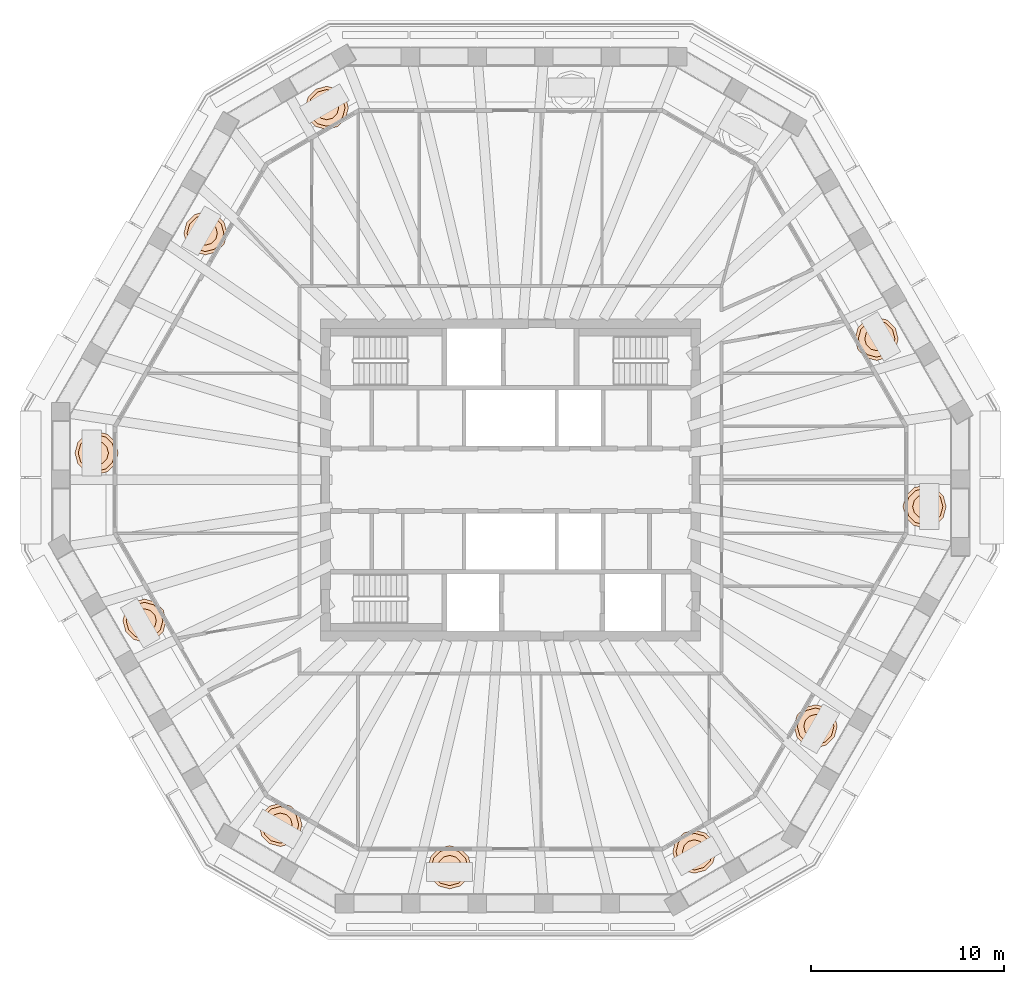
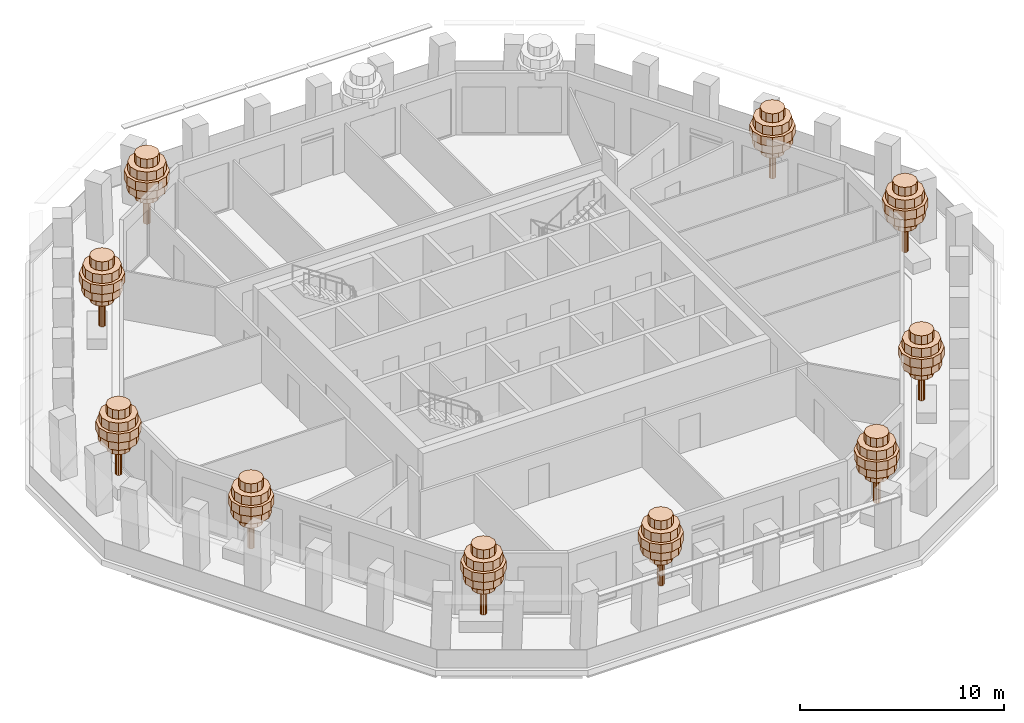
# One storey, part 12 of 13: 10 geographic elements.
"""IFC4 building model written with IfcOpenShell, lengths in metres."""

from ifc_helpers import new_model, si_unit, direction, frame, origin, place, context, subcontext, project, spatial, polyline, outline, extrude, material, type_object, element, save


model = new_model("IFC4")

# Units and contexts
model_context = context("Model", 3, precision=1e-05, world=origin(), true_north=direction((0.0, 1.0)))
body_context = subcontext(model_context, "Body", "Model", "MODEL_VIEW")
ifc_project = project(units=[si_unit("LENGTHUNIT", "METRE"), si_unit("AREAUNIT", "SQUARE_METRE"), si_unit("VOLUMEUNIT", "CUBIC_METRE"), si_unit("PLANEANGLEUNIT", "RADIAN"), si_unit("MASSUNIT", "GRAM", prefix="KILO")], contexts=[model_context])

# Site, building, storey
site_placement = place(None, origin())
site = spatial("IfcSite", under=ifc_project, at=site_placement, CompositionType="ELEMENT")
building_placement = place(site_placement, origin())
building = spatial("IfcBuilding", under=site, at=building_placement, Name="Frailejon Research Tower", CompositionType="ELEMENT")
storey_placement = place(building_placement, frame((0.0, 0.0, 263.0)))
storey = spatial("IfcBuildingStorey", under=building, at=storey_placement, Name="L57", CompositionType="ELEMENT", Elevation=263.0)

# Geographic elements
ifc_material = material(Name="Foliage, green")
geographic_element_type = type_object("IfcGeographicElementType", Name="Frailejon tree, terrace", PredefinedType="USERDEFINED", material=ifc_material)
geographic_element_1_placement = place(storey_placement, frame((21.473876953125, -1.38916015625, 0.699951171875)))
element("IfcGeographicElement", 1, at=geographic_element_1_placement, inside=storey, type_object=geographic_element_type, Name="Tree L57", ObjectType="TREE", PredefinedType="USERDEFINED", context=body_context, shape_type="SweptSolid", body=[
    extrude(outline(polyline([(0.177978515625, 0.0), (0.154052734375, 0.089111328125), (0.089111328125, 0.154052734375), (0.0, 0.177978515625), (-0.089111328125, 0.154052734375), (-0.154052734375, 0.089111328125), (-0.177978515625, 0.0), (-0.154052734375, -0.089111328125), (-0.089111328125, -0.154052734375), (0.0, -0.177978515625), (0.089111328125, -0.154052734375), (0.154052734375, -0.089111328125), (0.177978515625, 0.0)])), origin(), (0.0, 0.0, 1.0), 3.135986328125),
    extrude(outline(polyline([(0.615966796875, 0.0), (0.533447265625, 0.30810546875), (0.30810546875, 0.533447265625), (0.0, 0.615966796875), (-0.30810546875, 0.533447265625), (-0.533447265625, 0.30810546875), (-0.615966796875, 0.0), (-0.533447265625, -0.30810546875), (-0.30810546875, -0.533447265625), (0.0, -0.615966796875), (0.30810546875, -0.533447265625), (0.533447265625, -0.30810546875), (0.615966796875, 0.0)])), frame((0.0, 0.0, 1.5400390625)), (0.0, 0.0, 1.0), 0.531982421875),
    extrude(outline(polyline([(1.008056640625, 0.0), (0.873046875, 0.50390625), (0.50390625, 0.873046875), (0.0, 1.008056640625), (-0.50390625, 0.873046875), (-0.873046875, 0.50390625), (-1.008056640625, 0.0), (-0.873046875, -0.50390625), (-0.50390625, -0.873046875), (0.0, -1.008056640625), (0.50390625, -0.873046875), (0.873046875, -0.50390625), (1.008056640625, 0.0)])), frame((0.0, 0.0, 2.072021484375)), (0.0, 0.0, 1.0), 0.531982421875),
    extrude(outline(polyline([(1.1201171875, 0.0), (0.969970703125, 0.56005859375), (0.56005859375, 0.969970703125), (0.0, 1.1201171875), (-0.56005859375, 0.969970703125), (-0.969970703125, 0.56005859375), (-1.1201171875, 0.0), (-0.969970703125, -0.56005859375), (-0.56005859375, -0.969970703125), (0.0, -1.1201171875), (0.56005859375, -0.969970703125), (0.969970703125, -0.56005859375), (1.1201171875, 0.0)])), frame((0.0, 0.0, 2.60400390625)), (0.0, 0.0, 1.0), 0.531982421875),
    extrude(outline(polyline([(0.951904296875, 0.0), (0.824462890625, 0.47607421875), (0.47607421875, 0.824462890625), (0.0, 0.951904296875), (-0.47607421875, 0.824462890625), (-0.824462890625, 0.47607421875), (-0.951904296875, 0.0), (-0.824462890625, -0.47607421875), (-0.47607421875, -0.824462890625), (0.0, -0.951904296875), (0.47607421875, -0.824462890625), (0.824462890625, -0.47607421875), (0.951904296875, 0.0)])), frame((0.0, 0.0, 3.135986328125)), (0.0, 0.0, 1.0), 0.531982421875),
    extrude(outline(polyline([(0.615966796875, 0.0), (0.533447265625, 0.30810546875), (0.30810546875, 0.533447265625), (0.0, 0.615966796875), (-0.30810546875, 0.533447265625), (-0.533447265625, 0.30810546875), (-0.615966796875, 0.0), (-0.533447265625, -0.30810546875), (-0.30810546875, -0.533447265625), (0.0, -0.615966796875), (0.30810546875, -0.533447265625), (0.533447265625, -0.30810546875), (0.615966796875, 0.0)])), frame((0.0, 0.0, 3.66796875)), (0.0, 0.0, 1.0), 0.531982421875),
])
geographic_element_2_placement = place(storey_placement, frame((18.98828125, 7.311279296875, 0.699951171875)))
element("IfcGeographicElement", 2, at=geographic_element_2_placement, inside=storey, type_object=geographic_element_type, Name="Tree L57", ObjectType="TREE", PredefinedType="USERDEFINED", context=body_context, shape_type="SweptSolid", body=[
    extrude(outline(polyline([(0.177978515625, 0.0), (0.154052734375, 0.089111328125), (0.089111328125, 0.154052734375), (0.0, 0.177978515625), (-0.089111328125, 0.154052734375), (-0.154052734375, 0.089111328125), (-0.177978515625, 0.0), (-0.154052734375, -0.089111328125), (-0.089111328125, -0.154052734375), (0.0, -0.177978515625), (0.089111328125, -0.154052734375), (0.154052734375, -0.089111328125), (0.177978515625, 0.0)])), origin(), (0.0, 0.0, 1.0), 3.135986328125),
    extrude(outline(polyline([(0.615966796875, 0.0), (0.533447265625, 0.30810546875), (0.30810546875, 0.533447265625), (0.0, 0.615966796875), (-0.30810546875, 0.533447265625), (-0.533447265625, 0.30810546875), (-0.615966796875, 0.0), (-0.533447265625, -0.30810546875), (-0.30810546875, -0.533447265625), (0.0, -0.615966796875), (0.30810546875, -0.533447265625), (0.533447265625, -0.30810546875), (0.615966796875, 0.0)])), frame((0.0, 0.0, 1.5400390625)), (0.0, 0.0, 1.0), 0.531982421875),
    extrude(outline(polyline([(1.008056640625, 0.0), (0.873046875, 0.50390625), (0.50390625, 0.873046875), (0.0, 1.008056640625), (-0.50390625, 0.873046875), (-0.873046875, 0.50390625), (-1.008056640625, 0.0), (-0.873046875, -0.50390625), (-0.50390625, -0.873046875), (0.0, -1.008056640625), (0.50390625, -0.873046875), (0.873046875, -0.50390625), (1.008056640625, 0.0)])), frame((0.0, 0.0, 2.072021484375)), (0.0, 0.0, 1.0), 0.531982421875),
    extrude(outline(polyline([(1.1201171875, 0.0), (0.969970703125, 0.56005859375), (0.56005859375, 0.969970703125), (0.0, 1.1201171875), (-0.56005859375, 0.969970703125), (-0.969970703125, 0.56005859375), (-1.1201171875, 0.0), (-0.969970703125, -0.56005859375), (-0.56005859375, -0.969970703125), (0.0, -1.1201171875), (0.56005859375, -0.969970703125), (0.969970703125, -0.56005859375), (1.1201171875, 0.0)])), frame((0.0, 0.0, 2.60400390625)), (0.0, 0.0, 1.0), 0.531982421875),
    extrude(outline(polyline([(0.951904296875, 0.0), (0.824462890625, 0.47607421875), (0.47607421875, 0.824462890625), (0.0, 0.951904296875), (-0.47607421875, 0.824462890625), (-0.824462890625, 0.47607421875), (-0.951904296875, 0.0), (-0.824462890625, -0.47607421875), (-0.47607421875, -0.824462890625), (0.0, -0.951904296875), (0.47607421875, -0.824462890625), (0.824462890625, -0.47607421875), (0.951904296875, 0.0)])), frame((0.0, 0.0, 3.135986328125)), (0.0, 0.0, 1.0), 0.531982421875),
    extrude(outline(polyline([(0.615966796875, 0.0), (0.533447265625, 0.30810546875), (0.30810546875, 0.533447265625), (0.0, 0.615966796875), (-0.30810546875, 0.533447265625), (-0.533447265625, 0.30810546875), (-0.615966796875, 0.0), (-0.533447265625, -0.30810546875), (-0.30810546875, -0.533447265625), (0.0, -0.615966796875), (0.30810546875, -0.533447265625), (0.533447265625, -0.30810546875), (0.615966796875, 0.0)])), frame((0.0, 0.0, 3.66796875)), (0.0, 0.0, 1.0), 0.531982421875),
])
geographic_element_3_placement = place(storey_placement, frame((-9.53369140625, 19.29150390625, 0.699951171875)))
element("IfcGeographicElement", 3, at=geographic_element_3_placement, inside=storey, type_object=geographic_element_type, Name="Tree L57", ObjectType="TREE", PredefinedType="USERDEFINED", context=body_context, shape_type="SweptSolid", body=[
    extrude(outline(polyline([(0.177978515625, 0.0), (0.154052734375, 0.089111328125), (0.089111328125, 0.154052734375), (0.0, 0.177978515625), (-0.089111328125, 0.154052734375), (-0.154052734375, 0.089111328125), (-0.177978515625, 0.0), (-0.154052734375, -0.089111328125), (-0.089111328125, -0.154052734375), (0.0, -0.177978515625), (0.089111328125, -0.154052734375), (0.154052734375, -0.089111328125), (0.177978515625, 0.0)])), origin(), (0.0, 0.0, 1.0), 3.135986328125),
    extrude(outline(polyline([(0.615966796875, 0.0), (0.533447265625, 0.30810546875), (0.30810546875, 0.533447265625), (0.0, 0.615966796875), (-0.30810546875, 0.533447265625), (-0.533447265625, 0.30810546875), (-0.615966796875, 0.0), (-0.533447265625, -0.30810546875), (-0.30810546875, -0.533447265625), (0.0, -0.615966796875), (0.30810546875, -0.533447265625), (0.533447265625, -0.30810546875), (0.615966796875, 0.0)])), frame((0.0, 0.0, 1.5400390625)), (0.0, 0.0, 1.0), 0.531982421875),
    extrude(outline(polyline([(1.008056640625, 0.0), (0.873046875, 0.50390625), (0.50390625, 0.873046875), (0.0, 1.008056640625), (-0.50390625, 0.873046875), (-0.873046875, 0.50390625), (-1.008056640625, 0.0), (-0.873046875, -0.50390625), (-0.50390625, -0.873046875), (0.0, -1.008056640625), (0.50390625, -0.873046875), (0.873046875, -0.50390625), (1.008056640625, 0.0)])), frame((0.0, 0.0, 2.072021484375)), (0.0, 0.0, 1.0), 0.531982421875),
    extrude(outline(polyline([(1.1201171875, 0.0), (0.969970703125, 0.56005859375), (0.56005859375, 0.969970703125), (0.0, 1.1201171875), (-0.56005859375, 0.969970703125), (-0.969970703125, 0.56005859375), (-1.1201171875, 0.0), (-0.969970703125, -0.56005859375), (-0.56005859375, -0.969970703125), (0.0, -1.1201171875), (0.56005859375, -0.969970703125), (0.969970703125, -0.56005859375), (1.1201171875, 0.0)])), frame((0.0, 0.0, 2.60400390625)), (0.0, 0.0, 1.0), 0.531982421875),
    extrude(outline(polyline([(0.951904296875, 0.0), (0.824462890625, 0.47607421875), (0.47607421875, 0.824462890625), (0.0, 0.951904296875), (-0.47607421875, 0.824462890625), (-0.824462890625, 0.47607421875), (-0.951904296875, 0.0), (-0.824462890625, -0.47607421875), (-0.47607421875, -0.824462890625), (0.0, -0.951904296875), (0.47607421875, -0.824462890625), (0.824462890625, -0.47607421875), (0.951904296875, 0.0)])), frame((0.0, 0.0, 3.135986328125)), (0.0, 0.0, 1.0), 0.531982421875),
    extrude(outline(polyline([(0.615966796875, 0.0), (0.533447265625, 0.30810546875), (0.30810546875, 0.533447265625), (0.0, 0.615966796875), (-0.30810546875, 0.533447265625), (-0.533447265625, 0.30810546875), (-0.615966796875, 0.0), (-0.533447265625, -0.30810546875), (-0.30810546875, -0.533447265625), (0.0, -0.615966796875), (0.30810546875, -0.533447265625), (0.533447265625, -0.30810546875), (0.615966796875, 0.0)])), frame((0.0, 0.0, 3.66796875)), (0.0, 0.0, 1.0), 0.531982421875),
])
geographic_element_4_placement = place(storey_placement, frame((-15.825927734375, 12.78857421875, 0.699951171875)))
element("IfcGeographicElement", 4, at=geographic_element_4_placement, inside=storey, type_object=geographic_element_type, Name="Tree L57", ObjectType="TREE", PredefinedType="USERDEFINED", context=body_context, shape_type="SweptSolid", body=[
    extrude(outline(polyline([(0.177978515625, 0.0), (0.154052734375, 0.089111328125), (0.089111328125, 0.154052734375), (0.0, 0.177978515625), (-0.089111328125, 0.154052734375), (-0.154052734375, 0.089111328125), (-0.177978515625, 0.0), (-0.154052734375, -0.089111328125), (-0.089111328125, -0.154052734375), (0.0, -0.177978515625), (0.089111328125, -0.154052734375), (0.154052734375, -0.089111328125), (0.177978515625, 0.0)])), origin(), (0.0, 0.0, 1.0), 3.135986328125),
    extrude(outline(polyline([(0.615966796875, 0.0), (0.533447265625, 0.30810546875), (0.30810546875, 0.533447265625), (0.0, 0.615966796875), (-0.30810546875, 0.533447265625), (-0.533447265625, 0.30810546875), (-0.615966796875, 0.0), (-0.533447265625, -0.30810546875), (-0.30810546875, -0.533447265625), (0.0, -0.615966796875), (0.30810546875, -0.533447265625), (0.533447265625, -0.30810546875), (0.615966796875, 0.0)])), frame((0.0, 0.0, 1.5400390625)), (0.0, 0.0, 1.0), 0.531982421875),
    extrude(outline(polyline([(1.008056640625, 0.0), (0.873046875, 0.50390625), (0.50390625, 0.873046875), (0.0, 1.008056640625), (-0.50390625, 0.873046875), (-0.873046875, 0.50390625), (-1.008056640625, 0.0), (-0.873046875, -0.50390625), (-0.50390625, -0.873046875), (0.0, -1.008056640625), (0.50390625, -0.873046875), (0.873046875, -0.50390625), (1.008056640625, 0.0)])), frame((0.0, 0.0, 2.072021484375)), (0.0, 0.0, 1.0), 0.531982421875),
    extrude(outline(polyline([(1.1201171875, 0.0), (0.969970703125, 0.56005859375), (0.56005859375, 0.969970703125), (0.0, 1.1201171875), (-0.56005859375, 0.969970703125), (-0.969970703125, 0.56005859375), (-1.1201171875, 0.0), (-0.969970703125, -0.56005859375), (-0.56005859375, -0.969970703125), (0.0, -1.1201171875), (0.56005859375, -0.969970703125), (0.969970703125, -0.56005859375), (1.1201171875, 0.0)])), frame((0.0, 0.0, 2.60400390625)), (0.0, 0.0, 1.0), 0.531982421875),
    extrude(outline(polyline([(0.951904296875, 0.0), (0.824462890625, 0.47607421875), (0.47607421875, 0.824462890625), (0.0, 0.951904296875), (-0.47607421875, 0.824462890625), (-0.824462890625, 0.47607421875), (-0.951904296875, 0.0), (-0.824462890625, -0.47607421875), (-0.47607421875, -0.824462890625), (0.0, -0.951904296875), (0.47607421875, -0.824462890625), (0.824462890625, -0.47607421875), (0.951904296875, 0.0)])), frame((0.0, 0.0, 3.135986328125)), (0.0, 0.0, 1.0), 0.531982421875),
    extrude(outline(polyline([(0.615966796875, 0.0), (0.533447265625, 0.30810546875), (0.30810546875, 0.533447265625), (0.0, 0.615966796875), (-0.30810546875, 0.533447265625), (-0.533447265625, 0.30810546875), (-0.615966796875, 0.0), (-0.533447265625, -0.30810546875), (-0.30810546875, -0.533447265625), (0.0, -0.615966796875), (0.30810546875, -0.533447265625), (0.533447265625, -0.30810546875), (0.615966796875, 0.0)])), frame((0.0, 0.0, 3.66796875)), (0.0, 0.0, 1.0), 0.531982421875),
])
geographic_element_5_placement = place(storey_placement, frame((-21.473876953125, 1.38916015625, 0.699951171875)))
element("IfcGeographicElement", 5, at=geographic_element_5_placement, inside=storey, type_object=geographic_element_type, Name="Tree L57", ObjectType="TREE", PredefinedType="USERDEFINED", context=body_context, shape_type="SweptSolid", body=[
    extrude(outline(polyline([(0.177978515625, 0.0), (0.154052734375, 0.089111328125), (0.089111328125, 0.154052734375), (0.0, 0.177978515625), (-0.089111328125, 0.154052734375), (-0.154052734375, 0.089111328125), (-0.177978515625, 0.0), (-0.154052734375, -0.089111328125), (-0.089111328125, -0.154052734375), (0.0, -0.177978515625), (0.089111328125, -0.154052734375), (0.154052734375, -0.089111328125), (0.177978515625, 0.0)])), origin(), (0.0, 0.0, 1.0), 3.135986328125),
    extrude(outline(polyline([(0.615966796875, 0.0), (0.533447265625, 0.30810546875), (0.30810546875, 0.533447265625), (0.0, 0.615966796875), (-0.30810546875, 0.533447265625), (-0.533447265625, 0.30810546875), (-0.615966796875, 0.0), (-0.533447265625, -0.30810546875), (-0.30810546875, -0.533447265625), (0.0, -0.615966796875), (0.30810546875, -0.533447265625), (0.533447265625, -0.30810546875), (0.615966796875, 0.0)])), frame((0.0, 0.0, 1.5400390625)), (0.0, 0.0, 1.0), 0.531982421875),
    extrude(outline(polyline([(1.008056640625, 0.0), (0.873046875, 0.50390625), (0.50390625, 0.873046875), (0.0, 1.008056640625), (-0.50390625, 0.873046875), (-0.873046875, 0.50390625), (-1.008056640625, 0.0), (-0.873046875, -0.50390625), (-0.50390625, -0.873046875), (0.0, -1.008056640625), (0.50390625, -0.873046875), (0.873046875, -0.50390625), (1.008056640625, 0.0)])), frame((0.0, 0.0, 2.072021484375)), (0.0, 0.0, 1.0), 0.531982421875),
    extrude(outline(polyline([(1.1201171875, 0.0), (0.969970703125, 0.56005859375), (0.56005859375, 0.969970703125), (0.0, 1.1201171875), (-0.56005859375, 0.969970703125), (-0.969970703125, 0.56005859375), (-1.1201171875, 0.0), (-0.969970703125, -0.56005859375), (-0.56005859375, -0.969970703125), (0.0, -1.1201171875), (0.56005859375, -0.969970703125), (0.969970703125, -0.56005859375), (1.1201171875, 0.0)])), frame((0.0, 0.0, 2.60400390625)), (0.0, 0.0, 1.0), 0.531982421875),
    extrude(outline(polyline([(0.951904296875, 0.0), (0.824462890625, 0.47607421875), (0.47607421875, 0.824462890625), (0.0, 0.951904296875), (-0.47607421875, 0.824462890625), (-0.824462890625, 0.47607421875), (-0.951904296875, 0.0), (-0.824462890625, -0.47607421875), (-0.47607421875, -0.824462890625), (0.0, -0.951904296875), (0.47607421875, -0.824462890625), (0.824462890625, -0.47607421875), (0.951904296875, 0.0)])), frame((0.0, 0.0, 3.135986328125)), (0.0, 0.0, 1.0), 0.531982421875),
    extrude(outline(polyline([(0.615966796875, 0.0), (0.533447265625, 0.30810546875), (0.30810546875, 0.533447265625), (0.0, 0.615966796875), (-0.30810546875, 0.533447265625), (-0.533447265625, 0.30810546875), (-0.615966796875, 0.0), (-0.533447265625, -0.30810546875), (-0.30810546875, -0.533447265625), (0.0, -0.615966796875), (0.30810546875, -0.533447265625), (0.533447265625, -0.30810546875), (0.615966796875, 0.0)])), frame((0.0, 0.0, 3.66796875)), (0.0, 0.0, 1.0), 0.531982421875),
])
geographic_element_6_placement = place(storey_placement, frame((-18.98828125, -7.311279296875, 0.699951171875)))
element("IfcGeographicElement", 6, at=geographic_element_6_placement, inside=storey, type_object=geographic_element_type, Name="Tree L57", ObjectType="TREE", PredefinedType="USERDEFINED", context=body_context, shape_type="SweptSolid", body=[
    extrude(outline(polyline([(0.177978515625, 0.0), (0.154052734375, 0.089111328125), (0.089111328125, 0.154052734375), (0.0, 0.177978515625), (-0.089111328125, 0.154052734375), (-0.154052734375, 0.089111328125), (-0.177978515625, 0.0), (-0.154052734375, -0.089111328125), (-0.089111328125, -0.154052734375), (0.0, -0.177978515625), (0.089111328125, -0.154052734375), (0.154052734375, -0.089111328125), (0.177978515625, 0.0)])), origin(), (0.0, 0.0, 1.0), 3.135986328125),
    extrude(outline(polyline([(0.615966796875, 0.0), (0.533447265625, 0.30810546875), (0.30810546875, 0.533447265625), (0.0, 0.615966796875), (-0.30810546875, 0.533447265625), (-0.533447265625, 0.30810546875), (-0.615966796875, 0.0), (-0.533447265625, -0.30810546875), (-0.30810546875, -0.533447265625), (0.0, -0.615966796875), (0.30810546875, -0.533447265625), (0.533447265625, -0.30810546875), (0.615966796875, 0.0)])), frame((0.0, 0.0, 1.5400390625)), (0.0, 0.0, 1.0), 0.531982421875),
    extrude(outline(polyline([(1.008056640625, 0.0), (0.873046875, 0.50390625), (0.50390625, 0.873046875), (0.0, 1.008056640625), (-0.50390625, 0.873046875), (-0.873046875, 0.50390625), (-1.008056640625, 0.0), (-0.873046875, -0.50390625), (-0.50390625, -0.873046875), (0.0, -1.008056640625), (0.50390625, -0.873046875), (0.873046875, -0.50390625), (1.008056640625, 0.0)])), frame((0.0, 0.0, 2.072021484375)), (0.0, 0.0, 1.0), 0.531982421875),
    extrude(outline(polyline([(1.1201171875, 0.0), (0.969970703125, 0.56005859375), (0.56005859375, 0.969970703125), (0.0, 1.1201171875), (-0.56005859375, 0.969970703125), (-0.969970703125, 0.56005859375), (-1.1201171875, 0.0), (-0.969970703125, -0.56005859375), (-0.56005859375, -0.969970703125), (0.0, -1.1201171875), (0.56005859375, -0.969970703125), (0.969970703125, -0.56005859375), (1.1201171875, 0.0)])), frame((0.0, 0.0, 2.60400390625)), (0.0, 0.0, 1.0), 0.531982421875),
    extrude(outline(polyline([(0.951904296875, 0.0), (0.824462890625, 0.47607421875), (0.47607421875, 0.824462890625), (0.0, 0.951904296875), (-0.47607421875, 0.824462890625), (-0.824462890625, 0.47607421875), (-0.951904296875, 0.0), (-0.824462890625, -0.47607421875), (-0.47607421875, -0.824462890625), (0.0, -0.951904296875), (0.47607421875, -0.824462890625), (0.824462890625, -0.47607421875), (0.951904296875, 0.0)])), frame((0.0, 0.0, 3.135986328125)), (0.0, 0.0, 1.0), 0.531982421875),
    extrude(outline(polyline([(0.615966796875, 0.0), (0.533447265625, 0.30810546875), (0.30810546875, 0.533447265625), (0.0, 0.615966796875), (-0.30810546875, 0.533447265625), (-0.533447265625, 0.30810546875), (-0.615966796875, 0.0), (-0.533447265625, -0.30810546875), (-0.30810546875, -0.533447265625), (0.0, -0.615966796875), (0.30810546875, -0.533447265625), (0.533447265625, -0.30810546875), (0.615966796875, 0.0)])), frame((0.0, 0.0, 3.66796875)), (0.0, 0.0, 1.0), 0.531982421875),
])
geographic_element_7_placement = place(storey_placement, frame((-11.93994140625, -17.902099609375, 0.699951171875)))
element("IfcGeographicElement", 7, at=geographic_element_7_placement, inside=storey, type_object=geographic_element_type, Name="Tree L57", ObjectType="TREE", PredefinedType="USERDEFINED", context=body_context, shape_type="SweptSolid", body=[
    extrude(outline(polyline([(0.177978515625, 0.0), (0.154052734375, 0.089111328125), (0.089111328125, 0.154052734375), (0.0, 0.177978515625), (-0.089111328125, 0.154052734375), (-0.154052734375, 0.089111328125), (-0.177978515625, 0.0), (-0.154052734375, -0.089111328125), (-0.089111328125, -0.154052734375), (0.0, -0.177978515625), (0.089111328125, -0.154052734375), (0.154052734375, -0.089111328125), (0.177978515625, 0.0)])), origin(), (0.0, 0.0, 1.0), 3.135986328125),
    extrude(outline(polyline([(0.615966796875, 0.0), (0.533447265625, 0.30810546875), (0.30810546875, 0.533447265625), (0.0, 0.615966796875), (-0.30810546875, 0.533447265625), (-0.533447265625, 0.30810546875), (-0.615966796875, 0.0), (-0.533447265625, -0.30810546875), (-0.30810546875, -0.533447265625), (0.0, -0.615966796875), (0.30810546875, -0.533447265625), (0.533447265625, -0.30810546875), (0.615966796875, 0.0)])), frame((0.0, 0.0, 1.5400390625)), (0.0, 0.0, 1.0), 0.531982421875),
    extrude(outline(polyline([(1.008056640625, 0.0), (0.873046875, 0.50390625), (0.50390625, 0.873046875), (0.0, 1.008056640625), (-0.50390625, 0.873046875), (-0.873046875, 0.50390625), (-1.008056640625, 0.0), (-0.873046875, -0.50390625), (-0.50390625, -0.873046875), (0.0, -1.008056640625), (0.50390625, -0.873046875), (0.873046875, -0.50390625), (1.008056640625, 0.0)])), frame((0.0, 0.0, 2.072021484375)), (0.0, 0.0, 1.0), 0.531982421875),
    extrude(outline(polyline([(1.1201171875, 0.0), (0.969970703125, 0.56005859375), (0.56005859375, 0.969970703125), (0.0, 1.1201171875), (-0.56005859375, 0.969970703125), (-0.969970703125, 0.56005859375), (-1.1201171875, 0.0), (-0.969970703125, -0.56005859375), (-0.56005859375, -0.969970703125), (0.0, -1.1201171875), (0.56005859375, -0.969970703125), (0.969970703125, -0.56005859375), (1.1201171875, 0.0)])), frame((0.0, 0.0, 2.60400390625)), (0.0, 0.0, 1.0), 0.531982421875),
    extrude(outline(polyline([(0.951904296875, 0.0), (0.824462890625, 0.47607421875), (0.47607421875, 0.824462890625), (0.0, 0.951904296875), (-0.47607421875, 0.824462890625), (-0.824462890625, 0.47607421875), (-0.951904296875, 0.0), (-0.824462890625, -0.47607421875), (-0.47607421875, -0.824462890625), (0.0, -0.951904296875), (0.47607421875, -0.824462890625), (0.824462890625, -0.47607421875), (0.951904296875, 0.0)])), frame((0.0, 0.0, 3.135986328125)), (0.0, 0.0, 1.0), 0.531982421875),
    extrude(outline(polyline([(0.615966796875, 0.0), (0.533447265625, 0.30810546875), (0.30810546875, 0.533447265625), (0.0, 0.615966796875), (-0.30810546875, 0.533447265625), (-0.533447265625, 0.30810546875), (-0.615966796875, 0.0), (-0.533447265625, -0.30810546875), (-0.30810546875, -0.533447265625), (0.0, -0.615966796875), (0.30810546875, -0.533447265625), (0.533447265625, -0.30810546875), (0.615966796875, 0.0)])), frame((0.0, 0.0, 3.66796875)), (0.0, 0.0, 1.0), 0.531982421875),
])
geographic_element_8_placement = place(storey_placement, frame((-3.162353515625, -20.10009765625, 0.699951171875)))
element("IfcGeographicElement", 8, at=geographic_element_8_placement, inside=storey, type_object=geographic_element_type, Name="Tree L57", ObjectType="TREE", PredefinedType="USERDEFINED", context=body_context, shape_type="SweptSolid", body=[
    extrude(outline(polyline([(0.177978515625, 0.0), (0.154052734375, 0.089111328125), (0.089111328125, 0.154052734375), (0.0, 0.177978515625), (-0.089111328125, 0.154052734375), (-0.154052734375, 0.089111328125), (-0.177978515625, 0.0), (-0.154052734375, -0.089111328125), (-0.089111328125, -0.154052734375), (0.0, -0.177978515625), (0.089111328125, -0.154052734375), (0.154052734375, -0.089111328125), (0.177978515625, 0.0)])), origin(), (0.0, 0.0, 1.0), 3.135986328125),
    extrude(outline(polyline([(0.615966796875, 0.0), (0.533447265625, 0.30810546875), (0.30810546875, 0.533447265625), (0.0, 0.615966796875), (-0.30810546875, 0.533447265625), (-0.533447265625, 0.30810546875), (-0.615966796875, 0.0), (-0.533447265625, -0.30810546875), (-0.30810546875, -0.533447265625), (0.0, -0.615966796875), (0.30810546875, -0.533447265625), (0.533447265625, -0.30810546875), (0.615966796875, 0.0)])), frame((0.0, 0.0, 1.5400390625)), (0.0, 0.0, 1.0), 0.531982421875),
    extrude(outline(polyline([(1.008056640625, 0.0), (0.873046875, 0.50390625), (0.50390625, 0.873046875), (0.0, 1.008056640625), (-0.50390625, 0.873046875), (-0.873046875, 0.50390625), (-1.008056640625, 0.0), (-0.873046875, -0.50390625), (-0.50390625, -0.873046875), (0.0, -1.008056640625), (0.50390625, -0.873046875), (0.873046875, -0.50390625), (1.008056640625, 0.0)])), frame((0.0, 0.0, 2.072021484375)), (0.0, 0.0, 1.0), 0.531982421875),
    extrude(outline(polyline([(1.1201171875, 0.0), (0.969970703125, 0.56005859375), (0.56005859375, 0.969970703125), (0.0, 1.1201171875), (-0.56005859375, 0.969970703125), (-0.969970703125, 0.56005859375), (-1.1201171875, 0.0), (-0.969970703125, -0.56005859375), (-0.56005859375, -0.969970703125), (0.0, -1.1201171875), (0.56005859375, -0.969970703125), (0.969970703125, -0.56005859375), (1.1201171875, 0.0)])), frame((0.0, 0.0, 2.60400390625)), (0.0, 0.0, 1.0), 0.531982421875),
    extrude(outline(polyline([(0.951904296875, 0.0), (0.824462890625, 0.47607421875), (0.47607421875, 0.824462890625), (0.0, 0.951904296875), (-0.47607421875, 0.824462890625), (-0.824462890625, 0.47607421875), (-0.951904296875, 0.0), (-0.824462890625, -0.47607421875), (-0.47607421875, -0.824462890625), (0.0, -0.951904296875), (0.47607421875, -0.824462890625), (0.824462890625, -0.47607421875), (0.951904296875, 0.0)])), frame((0.0, 0.0, 3.135986328125)), (0.0, 0.0, 1.0), 0.531982421875),
    extrude(outline(polyline([(0.615966796875, 0.0), (0.533447265625, 0.30810546875), (0.30810546875, 0.533447265625), (0.0, 0.615966796875), (-0.30810546875, 0.533447265625), (-0.533447265625, 0.30810546875), (-0.615966796875, 0.0), (-0.533447265625, -0.30810546875), (-0.30810546875, -0.533447265625), (0.0, -0.615966796875), (0.30810546875, -0.533447265625), (0.533447265625, -0.30810546875), (0.615966796875, 0.0)])), frame((0.0, 0.0, 3.66796875)), (0.0, 0.0, 1.0), 0.531982421875),
])
geographic_element_9_placement = place(storey_placement, frame((9.53369140625, -19.29150390625, 0.699951171875)))
element("IfcGeographicElement", 9, at=geographic_element_9_placement, inside=storey, type_object=geographic_element_type, Name="Tree L57", ObjectType="TREE", PredefinedType="USERDEFINED", context=body_context, shape_type="SweptSolid", body=[
    extrude(outline(polyline([(0.177978515625, 0.0), (0.154052734375, 0.089111328125), (0.089111328125, 0.154052734375), (0.0, 0.177978515625), (-0.089111328125, 0.154052734375), (-0.154052734375, 0.089111328125), (-0.177978515625, 0.0), (-0.154052734375, -0.089111328125), (-0.089111328125, -0.154052734375), (0.0, -0.177978515625), (0.089111328125, -0.154052734375), (0.154052734375, -0.089111328125), (0.177978515625, 0.0)])), origin(), (0.0, 0.0, 1.0), 3.135986328125),
    extrude(outline(polyline([(0.615966796875, 0.0), (0.533447265625, 0.30810546875), (0.30810546875, 0.533447265625), (0.0, 0.615966796875), (-0.30810546875, 0.533447265625), (-0.533447265625, 0.30810546875), (-0.615966796875, 0.0), (-0.533447265625, -0.30810546875), (-0.30810546875, -0.533447265625), (0.0, -0.615966796875), (0.30810546875, -0.533447265625), (0.533447265625, -0.30810546875), (0.615966796875, 0.0)])), frame((0.0, 0.0, 1.5400390625)), (0.0, 0.0, 1.0), 0.531982421875),
    extrude(outline(polyline([(1.008056640625, 0.0), (0.873046875, 0.50390625), (0.50390625, 0.873046875), (0.0, 1.008056640625), (-0.50390625, 0.873046875), (-0.873046875, 0.50390625), (-1.008056640625, 0.0), (-0.873046875, -0.50390625), (-0.50390625, -0.873046875), (0.0, -1.008056640625), (0.50390625, -0.873046875), (0.873046875, -0.50390625), (1.008056640625, 0.0)])), frame((0.0, 0.0, 2.072021484375)), (0.0, 0.0, 1.0), 0.531982421875),
    extrude(outline(polyline([(1.1201171875, 0.0), (0.969970703125, 0.56005859375), (0.56005859375, 0.969970703125), (0.0, 1.1201171875), (-0.56005859375, 0.969970703125), (-0.969970703125, 0.56005859375), (-1.1201171875, 0.0), (-0.969970703125, -0.56005859375), (-0.56005859375, -0.969970703125), (0.0, -1.1201171875), (0.56005859375, -0.969970703125), (0.969970703125, -0.56005859375), (1.1201171875, 0.0)])), frame((0.0, 0.0, 2.60400390625)), (0.0, 0.0, 1.0), 0.531982421875),
    extrude(outline(polyline([(0.951904296875, 0.0), (0.824462890625, 0.47607421875), (0.47607421875, 0.824462890625), (0.0, 0.951904296875), (-0.47607421875, 0.824462890625), (-0.824462890625, 0.47607421875), (-0.951904296875, 0.0), (-0.824462890625, -0.47607421875), (-0.47607421875, -0.824462890625), (0.0, -0.951904296875), (0.47607421875, -0.824462890625), (0.824462890625, -0.47607421875), (0.951904296875, 0.0)])), frame((0.0, 0.0, 3.135986328125)), (0.0, 0.0, 1.0), 0.531982421875),
    extrude(outline(polyline([(0.615966796875, 0.0), (0.533447265625, 0.30810546875), (0.30810546875, 0.533447265625), (0.0, 0.615966796875), (-0.30810546875, 0.533447265625), (-0.533447265625, 0.30810546875), (-0.615966796875, 0.0), (-0.533447265625, -0.30810546875), (-0.30810546875, -0.533447265625), (0.0, -0.615966796875), (0.30810546875, -0.533447265625), (0.533447265625, -0.30810546875), (0.615966796875, 0.0)])), frame((0.0, 0.0, 3.66796875)), (0.0, 0.0, 1.0), 0.531982421875),
])
geographic_element_10_placement = place(storey_placement, frame((15.825927734375, -12.78857421875, 0.699951171875)))
element("IfcGeographicElement", 10, at=geographic_element_10_placement, inside=storey, type_object=geographic_element_type, Name="Tree L57", ObjectType="TREE", PredefinedType="USERDEFINED", context=body_context, shape_type="SweptSolid", body=[
    extrude(outline(polyline([(0.177978515625, 0.0), (0.154052734375, 0.089111328125), (0.089111328125, 0.154052734375), (0.0, 0.177978515625), (-0.089111328125, 0.154052734375), (-0.154052734375, 0.089111328125), (-0.177978515625, 0.0), (-0.154052734375, -0.089111328125), (-0.089111328125, -0.154052734375), (0.0, -0.177978515625), (0.089111328125, -0.154052734375), (0.154052734375, -0.089111328125), (0.177978515625, 0.0)])), origin(), (0.0, 0.0, 1.0), 3.135986328125),
    extrude(outline(polyline([(0.615966796875, 0.0), (0.533447265625, 0.30810546875), (0.30810546875, 0.533447265625), (0.0, 0.615966796875), (-0.30810546875, 0.533447265625), (-0.533447265625, 0.30810546875), (-0.615966796875, 0.0), (-0.533447265625, -0.30810546875), (-0.30810546875, -0.533447265625), (0.0, -0.615966796875), (0.30810546875, -0.533447265625), (0.533447265625, -0.30810546875), (0.615966796875, 0.0)])), frame((0.0, 0.0, 1.5400390625)), (0.0, 0.0, 1.0), 0.531982421875),
    extrude(outline(polyline([(1.008056640625, 0.0), (0.873046875, 0.50390625), (0.50390625, 0.873046875), (0.0, 1.008056640625), (-0.50390625, 0.873046875), (-0.873046875, 0.50390625), (-1.008056640625, 0.0), (-0.873046875, -0.50390625), (-0.50390625, -0.873046875), (0.0, -1.008056640625), (0.50390625, -0.873046875), (0.873046875, -0.50390625), (1.008056640625, 0.0)])), frame((0.0, 0.0, 2.072021484375)), (0.0, 0.0, 1.0), 0.531982421875),
    extrude(outline(polyline([(1.1201171875, 0.0), (0.969970703125, 0.56005859375), (0.56005859375, 0.969970703125), (0.0, 1.1201171875), (-0.56005859375, 0.969970703125), (-0.969970703125, 0.56005859375), (-1.1201171875, 0.0), (-0.969970703125, -0.56005859375), (-0.56005859375, -0.969970703125), (0.0, -1.1201171875), (0.56005859375, -0.969970703125), (0.969970703125, -0.56005859375), (1.1201171875, 0.0)])), frame((0.0, 0.0, 2.60400390625)), (0.0, 0.0, 1.0), 0.531982421875),
    extrude(outline(polyline([(0.951904296875, 0.0), (0.824462890625, 0.47607421875), (0.47607421875, 0.824462890625), (0.0, 0.951904296875), (-0.47607421875, 0.824462890625), (-0.824462890625, 0.47607421875), (-0.951904296875, 0.0), (-0.824462890625, -0.47607421875), (-0.47607421875, -0.824462890625), (0.0, -0.951904296875), (0.47607421875, -0.824462890625), (0.824462890625, -0.47607421875), (0.951904296875, 0.0)])), frame((0.0, 0.0, 3.135986328125)), (0.0, 0.0, 1.0), 0.531982421875),
    extrude(outline(polyline([(0.615966796875, 0.0), (0.533447265625, 0.30810546875), (0.30810546875, 0.533447265625), (0.0, 0.615966796875), (-0.30810546875, 0.533447265625), (-0.533447265625, 0.30810546875), (-0.615966796875, 0.0), (-0.533447265625, -0.30810546875), (-0.30810546875, -0.533447265625), (0.0, -0.615966796875), (0.30810546875, -0.533447265625), (0.533447265625, -0.30810546875), (0.615966796875, 0.0)])), frame((0.0, 0.0, 3.66796875)), (0.0, 0.0, 1.0), 0.531982421875),
])

save(model, "model.ifc")
